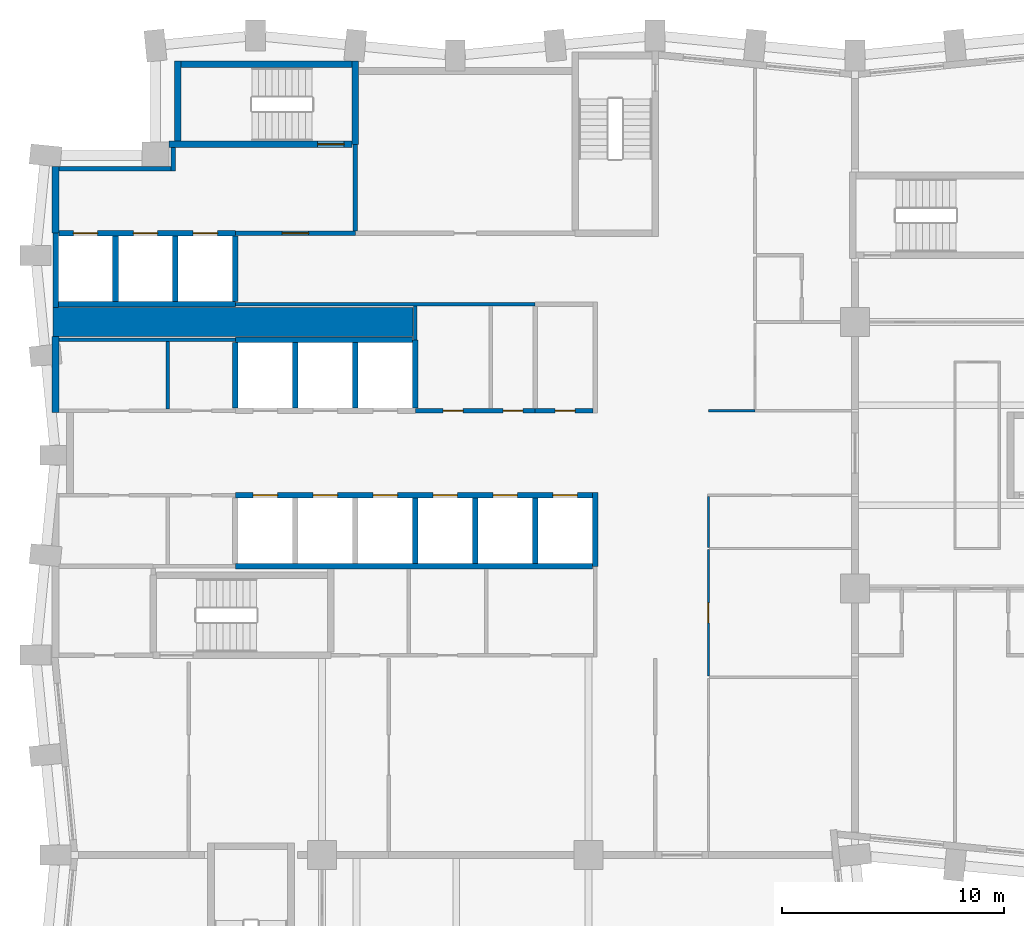
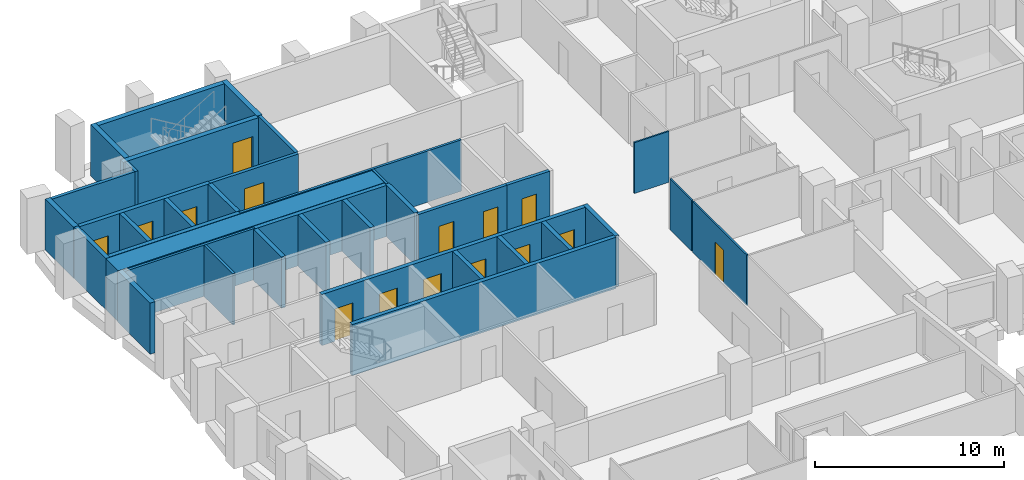
# One storey, part 6 of 12: 37 walls, 15 doors, 15 openings.
"""IFC4 building model written with IfcOpenShell, lengths in metres."""

from ifc_helpers import new_model, si_unit, direction, frame, frame_2d, origin, place, context, subcontext, project, spatial, rectangle, extrude, material, layer, layer_set, type_object, element, fill, save


model = new_model("IFC4")

# Units and contexts
model_context = context("Model", 3, precision=1e-05, world=origin(), true_north=direction((0.0, 1.0)))
body_context = subcontext(model_context, "Body", "Model", "MODEL_VIEW")
ifc_project = project(units=[si_unit("LENGTHUNIT", "METRE"), si_unit("AREAUNIT", "SQUARE_METRE"), si_unit("VOLUMEUNIT", "CUBIC_METRE"), si_unit("PLANEANGLEUNIT", "RADIAN"), si_unit("MASSUNIT", "GRAM", prefix="KILO")], contexts=[model_context])

# Site, building, storey
site_placement = place(None, origin())
site = spatial("IfcSite", under=ifc_project, at=site_placement, CompositionType="ELEMENT")
building_placement = place(site_placement, origin())
building = spatial("IfcBuilding", under=site, at=building_placement, Name="Brondeck Convention Tower", CompositionType="ELEMENT")
storey_placement = place(building_placement, frame((0.0, 0.0, 80.699951171875)))
storey = spatial("IfcBuildingStorey", under=building, at=storey_placement, Name="L18", CompositionType="ELEMENT", Elevation=80.699951171875)

# Walls
ifc_material_1 = material(Name="Concrete C80/95", Category="concrete")
ifc_layer_1 = layer(ifc_material_1, 0.300048828125)
ifc_layer_set_1 = layer_set([ifc_layer_1], Name="Core outer wall 300 Concrete C80/95")
wall_type_1 = type_object("IfcWallType", Name="Core outer wall 300 Concrete C80/95", PredefinedType="SHEAR", material=ifc_layer_set_1)
wall_1_placement = place(storey_placement, frame((0.0, 46.925048828125, 0.0), z_axis=(0.0, 0.0, 1.0), x_axis=(0.0, 1.0, 0.0)))
element("IfcWall", 1, at=wall_1_placement, inside=storey, type_object=wall_type_1, Name="L18 core wall", PredefinedType="SHEAR", context=body_context, shape_type="SweptSolid", body=[
    extrude(rectangle(XDim=3.425048828125, YDim=0.300048828125, at=frame_2d((1.71240234375, 0.0))), origin(), (0.0, 0.0, 1.0), 3.300048828125),
])
wall_2_placement = place(storey_placement, frame((0.0, 55.0, 0.0), z_axis=(0.0, 0.0, 1.0), x_axis=(0.0, 1.0, 0.0)))
element("IfcWall", 2, at=wall_2_placement, inside=storey, type_object=wall_type_1, Name="L18 core wall", PredefinedType="SHEAR", context=body_context, shape_type="SweptSolid", body=[
    extrude(rectangle(XDim=3.0, YDim=0.300048828125, at=frame_2d((1.5, 0.0))), origin(), (0.0, 0.0, 1.0), 3.300048828125),
])
ifc_material_2 = material(Name="Fire-rated gypsum board partition")
ifc_layer_2 = layer(ifc_material_2, 0.14990234375)
ifc_layer_set_2 = layer_set([ifc_layer_2], Name="Core partition 150 EI 60")
wall_type_2 = type_object("IfcWallType", Name="Core partition 150 EI 60", PredefinedType="PARTITIONING", material=ifc_layer_set_2)
wall_3_placement = place(storey_placement, frame((0.14990234375, 50.199951171875, 0.0), z_axis=(0.0, 0.0, 1.0), x_axis=(1.0, 0.0, 0.0)))
element("IfcWall", 3, at=wall_3_placement, inside=storey, type_object=wall_type_2, Name="L18 core wall", PredefinedType="PARTITIONING", context=body_context, shape_type="SweptSolid", body=[
    extrude(rectangle(XDim=7.9501953125, YDim=0.14990234375, at=frame_2d((3.97509765625, 0.0))), origin(), (0.0, 0.0, 1.0), 3.300048828125),
])
wall_4_placement = place(storey_placement, frame((8.10009765625, 51.800048828125, 0.0), z_axis=(0.0, 0.0, 1.0), x_axis=(1.0, 0.0, 0.0)))
element("IfcWall", 4, at=wall_4_placement, inside=storey, type_object=wall_type_2, Name="L18 core wall", PredefinedType="PARTITIONING", context=body_context, shape_type="SweptSolid", body=[
    extrude(rectangle(XDim=13.5, YDim=0.14990234375, at=frame_2d((6.75, 0.0))), origin(), (0.0, 0.0, 1.0), 3.300048828125),
])
wall_5_placement = place(storey_placement, frame((5.050048828125, 47.074951171875, 0.0), z_axis=(0.0, 0.0, 1.0), x_axis=(0.0, 1.0, 0.0)))
element("IfcWall", 5, at=wall_5_placement, inside=storey, type_object=wall_type_2, Name="L18 core wall", PredefinedType="PARTITIONING", context=body_context, shape_type="SweptSolid", body=[
    extrude(rectangle(XDim=3.050048828125, YDim=0.14990234375, at=frame_2d((1.52490234375, 0.0))), origin(), (0.0, 0.0, 1.0), 3.300048828125),
])
wall_6_placement = place(storey_placement, frame((16.199951171875, 50.199951171875, 0.0), z_axis=(0.0, 0.0, 1.0), x_axis=(0.0, 1.0, 0.0)))
element("IfcWall", 6, at=wall_6_placement, inside=storey, type_object=wall_type_2, Name="L18 core wall", PredefinedType="PARTITIONING", context=body_context, shape_type="SweptSolid", body=[
    extrude(rectangle(XDim=1.525146484375, YDim=0.14990234375, at=frame_2d((0.7626953125, 0.0))), origin(), (0.0, 0.0, 1.0), 3.300048828125),
])
ifc_layer_3 = layer(ifc_material_1, 1.300048828125)
ifc_layer_set_3 = layer_set([ifc_layer_3], Name="Core shear wall 1300 Concrete C80/95")
wall_type_3 = type_object("IfcWallType", Name="Core shear wall 1300 Concrete C80/95", PredefinedType="SHEAR", material=ifc_layer_set_3)
wall_7_placement = place(storey_placement, frame((-0.125, 51.0, 0.0), z_axis=(0.0, 0.0, 1.0), x_axis=(1.0, 0.0, 0.0)))
element("IfcWall", 7, at=wall_7_placement, inside=storey, type_object=wall_type_3, Name="L18 core wall", PredefinedType="SHEAR", context=body_context, shape_type="SweptSolid", body=[
    extrude(rectangle(XDim=16.22509765625, YDim=1.300048828125, at=frame_2d((8.112548828125, 0.0))), origin(), (0.0, 0.0, 1.0), 3.300048828125),
])

# Wall, opening, door
ifc_layer_4 = layer(ifc_material_2, 0.199951171875)
ifc_layer_set_4 = layer_set([ifc_layer_4], Name="Firefighting lobby wall 200 EI 120")
wall_type_4 = type_object("IfcWallType", Name="Firefighting lobby wall 200 EI 120", PredefinedType="PARTITIONING", material=ifc_layer_set_4)
wall_8_placement = place(storey_placement, frame((8.10009765625, 55.0, 0.0), z_axis=(0.0, 0.0, 1.0), x_axis=(1.0, 0.0, 0.0)))
wall_8 = element("IfcWall", 8, at=wall_8_placement, inside=storey, type_object=wall_type_4, Name="L18 core wall", PredefinedType="PARTITIONING", context=body_context, shape_type="SweptSolid", body=[
    extrude(rectangle(XDim=5.39990234375, YDim=0.199951171875, at=frame_2d((2.699951171875, 0.0))), origin(), (0.0, 0.0, 1.0), 3.300048828125),
])
opening_1_placement = place(wall_8_placement, frame((2.10009765625, 0.0, 0.0)))
opening_1 = element("IfcOpeningElement", 9, at=opening_1_placement, cuts=wall_8, Name="Opening C12-01", PredefinedType="OPENING", context=body_context, shape_type="SweptSolid", body=[
    extrude(rectangle(XDim=1.199951171875, YDim=2.199951171875, at=frame_2d((0.60009765625, 1.10009765625))), frame((0.0, 0.10986328125, 0.0), z_axis=(0.0, -1.0, 0.0), x_axis=(1.0, 0.0, 0.0)), (0.0, 0.0, 1.0), 0.219970703125),
])
ifc_material_3 = material(Name="Steel fire door", Category="steel")
door_type_1 = type_object("IfcDoorType", Name="Firefighting lobby door 1200x2200 EI 120", OperationType="NOTDEFINED", PredefinedType="DOOR", material=ifc_material_3)
door_1_placement = place(opening_1_placement, origin())
door_1 = element("IfcDoor", 10, at=door_1_placement, inside=storey, type_object=door_type_1, Name="L18 Firefighting lobby door FFL-1", OperationType="SINGLE_SWING_RIGHT", OverallHeight=2.199951171875, OverallWidth=1.199951171875, PredefinedType="DOOR", context=body_context, shape_type="SweptSolid", body=[
    extrude(rectangle(XDim=1.199951171875, YDim=2.199951171875, at=frame_2d((0.60009765625, 1.10009765625))), frame((0.0, 0.02490234375, 0.0), z_axis=(0.0, -1.0, 0.0), x_axis=(1.0, 0.0, 0.0)), (0.0, 0.0, 1.0), 0.050048828125),
])
fill(opening_1, door_1)

# Walls
wall_9_placement = place(storey_placement, frame((0.14990234375, 57.89990234375, 0.0), z_axis=(0.0, 0.0, 1.0), x_axis=(1.0, 0.0, 0.0)))
element("IfcWall", 11, at=wall_9_placement, inside=storey, type_object=wall_type_4, Name="L18 core wall", PredefinedType="PARTITIONING", context=body_context, shape_type="SweptSolid", body=[
    extrude(rectangle(XDim=5.050048828125, YDim=0.199951171875, at=frame_2d((2.52490234375, 0.0))), origin(), (0.0, 0.0, 1.0), 3.300048828125),
])
wall_10_placement = place(storey_placement, frame((5.300048828125, 57.800048828125, 0.0), z_axis=(0.0, 0.0, 1.0), x_axis=(0.0, 1.0, 0.0)))
element("IfcWall", 12, at=wall_10_placement, inside=storey, type_object=wall_type_4, Name="L18 core wall", PredefinedType="PARTITIONING", context=body_context, shape_type="SweptSolid", body=[
    extrude(rectangle(XDim=1.050048828125, YDim=0.199951171875, at=frame_2d((0.52490234375, 0.0))), origin(), (0.0, 0.0, 1.0), 3.300048828125),
])
wall_11_placement = place(storey_placement, frame((13.5, 55.10009765625, 0.0), z_axis=(0.0, 0.0, 1.0), x_axis=(0.0, 1.0, 0.0)))
element("IfcWall", 13, at=wall_11_placement, inside=storey, type_object=wall_type_4, Name="L18 core wall", PredefinedType="PARTITIONING", context=body_context, shape_type="SweptSolid", body=[
    extrude(rectangle(XDim=3.89990234375, YDim=0.199951171875, at=frame_2d((1.949951171875, 0.0))), origin(), (0.0, 0.0, 1.0), 3.300048828125),
])

# Wall, openings, doors
ifc_layer_5 = layer(ifc_material_2, 0.199951171875)
ifc_layer_set_5 = layer_set([ifc_layer_5], Name="Lift lobby wall 200 EI 60")
wall_type_5 = type_object("IfcWallType", Name="Lift lobby wall 200 EI 60", PredefinedType="PARTITIONING", material=ifc_layer_set_5)
wall_12_placement = place(storey_placement, frame((16.199951171875, 47.0, 0.0), z_axis=(0.0, 0.0, 1.0), x_axis=(1.0, 0.0, 0.0)))
wall_12 = element("IfcWall", 14, at=wall_12_placement, inside=storey, type_object=wall_type_5, Name="L18 core wall", PredefinedType="PARTITIONING", context=body_context, shape_type="SweptSolid", body=[
    extrude(rectangle(XDim=5.400146484375, YDim=0.199951171875, at=frame_2d((2.7001953125, 0.0))), origin(), (0.0, 0.0, 1.0), 3.300048828125),
])
opening_2_placement = place(wall_12_placement, frame((1.25, 0.0, 0.0)))
opening_2 = element("IfcOpeningElement", 15, at=opening_2_placement, cuts=wall_12, Name="Opening C12-09", PredefinedType="OPENING", context=body_context, shape_type="SweptSolid", body=[
    extrude(rectangle(XDim=0.89990234375, YDim=2.10009765625, at=frame_2d((0.449951171875, 1.050048828125))), frame((0.0, 0.10986328125, 0.0), z_axis=(0.0, -1.0, 0.0), x_axis=(1.0, 0.0, 0.0)), (0.0, 0.0, 1.0), 0.219970703125),
])
opening_3_placement = place(wall_12_placement, frame((3.949951171875, 0.0, 0.0)))
opening_3 = element("IfcOpeningElement", 16, at=opening_3_placement, cuts=wall_12, Name="Opening C12-10", PredefinedType="OPENING", context=body_context, shape_type="SweptSolid", body=[
    extrude(rectangle(XDim=0.89990234375, YDim=2.10009765625, at=frame_2d((0.449951171875, 1.050048828125))), frame((0.0, 0.10986328125, 0.0), z_axis=(0.0, -1.0, 0.0), x_axis=(1.0, 0.0, 0.0)), (0.0, 0.0, 1.0), 0.219970703125),
])
door_type_2 = type_object("IfcDoorType", Name="Room door 900x2100 EI 60", OperationType="NOTDEFINED", PredefinedType="DOOR", material=ifc_material_3)
door_2_placement = place(opening_2_placement, origin())
door_2 = element("IfcDoor", 17, at=door_2_placement, inside=storey, type_object=door_type_2, Name="L18 Room door FZ-N-16.2-1", OperationType="SINGLE_SWING_LEFT", OverallHeight=2.10009765625, OverallWidth=0.89990234375, PredefinedType="DOOR", context=body_context, shape_type="SweptSolid", body=[
    extrude(rectangle(XDim=0.89990234375, YDim=2.10009765625, at=frame_2d((0.449951171875, 1.050048828125))), frame((0.0, 0.02490234375, 0.0), z_axis=(0.0, -1.0, 0.0), x_axis=(1.0, 0.0, 0.0)), (0.0, 0.0, 1.0), 0.050048828125),
])
fill(opening_2, door_2)
door_3_placement = place(opening_3_placement, origin())
door_3 = element("IfcDoor", 18, at=door_3_placement, inside=storey, type_object=door_type_2, Name="L18 Room door FZ-N-16.2-2", OperationType="SINGLE_SWING_RIGHT", OverallHeight=2.10009765625, OverallWidth=0.89990234375, PredefinedType="DOOR", context=body_context, shape_type="SweptSolid", body=[
    extrude(rectangle(XDim=0.89990234375, YDim=2.10009765625, at=frame_2d((0.449951171875, 1.050048828125))), frame((0.0, 0.02490234375, 0.0), z_axis=(0.0, -1.0, 0.0), x_axis=(1.0, 0.0, 0.0)), (0.0, 0.0, 1.0), 0.050048828125),
])
fill(opening_3, door_3)

# Wall
ifc_layer_6 = layer(ifc_material_1, 0.25)
ifc_layer_set_6 = layer_set([ifc_layer_6], Name="Lift shaft wall 250 Concrete C80/95")
wall_type_6 = type_object("IfcWallType", Name="Lift shaft wall 250 Concrete C80/95", PredefinedType="SHEAR", material=ifc_layer_set_6)
wall_13_placement = place(storey_placement, frame((8.10009765625, 40.0, 0.0), z_axis=(0.0, 0.0, 1.0), x_axis=(1.0, 0.0, 0.0)))
element("IfcWall", 19, at=wall_13_placement, inside=storey, type_object=wall_type_6, Name="L18 core wall", PredefinedType="SHEAR", context=body_context, shape_type="SweptSolid", body=[
    extrude(rectangle(XDim=16.074951171875, YDim=0.25, at=frame_2d((8.03759765625, 0.0))), origin(), (0.0, 0.0, 1.0), 3.300048828125),
])

# Wall, openings, doors
wall_14_placement = place(storey_placement, frame((8.10009765625, 43.199951171875, 0.0), z_axis=(0.0, 0.0, 1.0), x_axis=(1.0, 0.0, 0.0)))
wall_14 = element("IfcWall", 20, at=wall_14_placement, inside=storey, type_object=wall_type_6, Name="L18 core wall", PredefinedType="SHEAR", context=body_context, shape_type="SweptSolid", body=[
    extrude(rectangle(XDim=16.074951171875, YDim=0.25, at=frame_2d((8.03759765625, 0.0))), origin(), (0.0, 0.0, 1.0), 3.300048828125),
])
opening_4_placement = place(wall_14_placement, frame((14.300048828125, 0.0, 0.0)))
opening_4 = element("IfcOpeningElement", 21, at=opening_4_placement, cuts=wall_14, Name="Opening C12-24", PredefinedType="OPENING", context=body_context, shape_type="SweptSolid", body=[
    extrude(rectangle(XDim=1.10009765625, YDim=2.10009765625, at=frame_2d((0.550048828125, 1.050048828125))), frame((0.0, 0.135009765625, 0.0), z_axis=(0.0, -1.0, 0.0), x_axis=(1.0, 0.0, 0.0)), (0.0, 0.0, 1.0), 0.27001953125),
])
opening_5_placement = place(wall_14_placement, frame((0.800048828125, 0.0, 0.0)))
opening_5 = element("IfcOpeningElement", 22, at=opening_5_placement, cuts=wall_14, Name="Opening C12-25", PredefinedType="OPENING", context=body_context, shape_type="SweptSolid", body=[
    extrude(rectangle(XDim=1.10009765625, YDim=2.10009765625, at=frame_2d((0.550048828125, 1.050048828125))), frame((0.0, 0.135009765625, 0.0), z_axis=(0.0, -1.0, 0.0), x_axis=(1.0, 0.0, 0.0)), (0.0, 0.0, 1.0), 0.27001953125),
])
opening_6_placement = place(wall_14_placement, frame((3.5, 0.0, 0.0)))
opening_6 = element("IfcOpeningElement", 23, at=opening_6_placement, cuts=wall_14, Name="Opening C12-26", PredefinedType="OPENING", context=body_context, shape_type="SweptSolid", body=[
    extrude(rectangle(XDim=1.10009765625, YDim=2.10009765625, at=frame_2d((0.550048828125, 1.050048828125))), frame((0.0, 0.135009765625, 0.0), z_axis=(0.0, -1.0, 0.0), x_axis=(1.0, 0.0, 0.0)), (0.0, 0.0, 1.0), 0.27001953125),
])
opening_7_placement = place(wall_14_placement, frame((6.199951171875, 0.0, 0.0)))
opening_7 = element("IfcOpeningElement", 24, at=opening_7_placement, cuts=wall_14, Name="Opening C12-27", PredefinedType="OPENING", context=body_context, shape_type="SweptSolid", body=[
    extrude(rectangle(XDim=1.10009765625, YDim=2.10009765625, at=frame_2d((0.550048828125, 1.050048828125))), frame((0.0, 0.135009765625, 0.0), z_axis=(0.0, -1.0, 0.0), x_axis=(1.0, 0.0, 0.0)), (0.0, 0.0, 1.0), 0.27001953125),
])
opening_8_placement = place(wall_14_placement, frame((8.89990234375, 0.0, 0.0)))
opening_8 = element("IfcOpeningElement", 25, at=opening_8_placement, cuts=wall_14, Name="Opening C12-31", PredefinedType="OPENING", context=body_context, shape_type="SweptSolid", body=[
    extrude(rectangle(XDim=1.10009765625, YDim=2.10009765625, at=frame_2d((0.550048828125, 1.050048828125))), frame((0.0, 0.135009765625, 0.0), z_axis=(0.0, -1.0, 0.0), x_axis=(1.0, 0.0, 0.0)), (0.0, 0.0, 1.0), 0.27001953125),
])
opening_9_placement = place(wall_14_placement, frame((11.60009765625, 0.0, 0.0)))
opening_9 = element("IfcOpeningElement", 26, at=opening_9_placement, cuts=wall_14, Name="Opening C12-32", PredefinedType="OPENING", context=body_context, shape_type="SweptSolid", body=[
    extrude(rectangle(XDim=1.10009765625, YDim=2.10009765625, at=frame_2d((0.550048828125, 1.050048828125))), frame((0.0, 0.135009765625, 0.0), z_axis=(0.0, -1.0, 0.0), x_axis=(1.0, 0.0, 0.0)), (0.0, 0.0, 1.0), 0.27001953125),
])
ifc_material_4 = material(Name="Stainless steel lift door", Category="steel")
door_type_3 = type_object("IfcDoorType", Name="Lift landing door 1100x2100 EI 180", OperationType="DOUBLE_DOOR_SLIDING", PredefinedType="DOOR", material=ifc_material_4)
door_4_placement = place(opening_4_placement, origin())
door_4 = element("IfcDoor", 27, at=door_4_placement, inside=storey, type_object=door_type_3, Name="L18 Lift landing door HS1", OperationType="DOUBLE_DOOR_SLIDING", OverallHeight=2.10009765625, OverallWidth=1.10009765625, PredefinedType="DOOR", context=body_context, shape_type="SweptSolid", body=[
    extrude(rectangle(XDim=1.10009765625, YDim=2.10009765625, at=frame_2d((0.550048828125, 1.050048828125))), frame((0.0, 0.02490234375, 0.0), z_axis=(0.0, -1.0, 0.0), x_axis=(1.0, 0.0, 0.0)), (0.0, 0.0, 1.0), 0.050048828125),
])
fill(opening_4, door_4)
door_5_placement = place(opening_5_placement, origin())
door_5 = element("IfcDoor", 28, at=door_5_placement, inside=storey, type_object=door_type_3, Name="L18 Lift landing door LR1", OperationType="DOUBLE_DOOR_SLIDING", OverallHeight=2.10009765625, OverallWidth=1.10009765625, PredefinedType="DOOR", context=body_context, shape_type="SweptSolid", body=[
    extrude(rectangle(XDim=1.10009765625, YDim=2.10009765625, at=frame_2d((0.550048828125, 1.050048828125))), frame((0.0, 0.02490234375, 0.0), z_axis=(0.0, -1.0, 0.0), x_axis=(1.0, 0.0, 0.0)), (0.0, 0.0, 1.0), 0.050048828125),
])
fill(opening_5, door_5)
door_6_placement = place(opening_6_placement, origin())
door_6 = element("IfcDoor", 29, at=door_6_placement, inside=storey, type_object=door_type_3, Name="L18 Lift landing door LR2", OperationType="DOUBLE_DOOR_SLIDING", OverallHeight=2.10009765625, OverallWidth=1.10009765625, PredefinedType="DOOR", context=body_context, shape_type="SweptSolid", body=[
    extrude(rectangle(XDim=1.10009765625, YDim=2.10009765625, at=frame_2d((0.550048828125, 1.050048828125))), frame((0.0, 0.02490234375, 0.0), z_axis=(0.0, -1.0, 0.0), x_axis=(1.0, 0.0, 0.0)), (0.0, 0.0, 1.0), 0.050048828125),
])
fill(opening_6, door_6)
door_7_placement = place(opening_7_placement, origin())
door_7 = element("IfcDoor", 30, at=door_7_placement, inside=storey, type_object=door_type_3, Name="L18 Lift landing door LR3", OperationType="DOUBLE_DOOR_SLIDING", OverallHeight=2.10009765625, OverallWidth=1.10009765625, PredefinedType="DOOR", context=body_context, shape_type="SweptSolid", body=[
    extrude(rectangle(XDim=1.10009765625, YDim=2.10009765625, at=frame_2d((0.550048828125, 1.050048828125))), frame((0.0, 0.02490234375, 0.0), z_axis=(0.0, -1.0, 0.0), x_axis=(1.0, 0.0, 0.0)), (0.0, 0.0, 1.0), 0.050048828125),
])
fill(opening_7, door_7)
door_8_placement = place(opening_8_placement, origin())
door_8 = element("IfcDoor", 31, at=door_8_placement, inside=storey, type_object=door_type_3, Name="L18 Lift landing door SH1", OperationType="DOUBLE_DOOR_SLIDING", OverallHeight=2.10009765625, OverallWidth=1.10009765625, PredefinedType="DOOR", context=body_context, shape_type="SweptSolid", body=[
    extrude(rectangle(XDim=1.10009765625, YDim=2.10009765625, at=frame_2d((0.550048828125, 1.050048828125))), frame((0.0, 0.02490234375, 0.0), z_axis=(0.0, -1.0, 0.0), x_axis=(1.0, 0.0, 0.0)), (0.0, 0.0, 1.0), 0.050048828125),
])
fill(opening_8, door_8)
door_9_placement = place(opening_9_placement, origin())
door_9 = element("IfcDoor", 32, at=door_9_placement, inside=storey, type_object=door_type_3, Name="L18 Lift landing door SH2", OperationType="DOUBLE_DOOR_SLIDING", OverallHeight=2.10009765625, OverallWidth=1.10009765625, PredefinedType="DOOR", context=body_context, shape_type="SweptSolid", body=[
    extrude(rectangle(XDim=1.10009765625, YDim=2.10009765625, at=frame_2d((0.550048828125, 1.050048828125))), frame((0.0, 0.02490234375, 0.0), z_axis=(0.0, -1.0, 0.0), x_axis=(1.0, 0.0, 0.0)), (0.0, 0.0, 1.0), 0.050048828125),
])
fill(opening_9, door_9)

# Walls
wall_15_placement = place(storey_placement, frame((8.10009765625, 50.199951171875, 0.0), z_axis=(0.0, 0.0, 1.0), x_axis=(1.0, 0.0, 0.0)))
element("IfcWall", 33, at=wall_15_placement, inside=storey, type_object=wall_type_6, Name="L18 core wall", PredefinedType="SHEAR", context=body_context, shape_type="SweptSolid", body=[
    extrude(rectangle(XDim=7.974853515625, YDim=0.25, at=frame_2d((3.9873046875, 0.0))), origin(), (0.0, 0.0, 1.0), 3.300048828125),
])
wall_16_placement = place(storey_placement, frame((0.125, 51.800048828125, 0.0), z_axis=(0.0, 0.0, 1.0), x_axis=(1.0, 0.0, 0.0)))
element("IfcWall", 34, at=wall_16_placement, inside=storey, type_object=wall_type_6, Name="L18 core wall", PredefinedType="SHEAR", context=body_context, shape_type="SweptSolid", body=[
    extrude(rectangle(XDim=7.97509765625, YDim=0.25, at=frame_2d((3.987548828125, 0.0))), origin(), (0.0, 0.0, 1.0), 3.300048828125),
])

# Wall, openings, doors
wall_17_placement = place(storey_placement, frame((0.14990234375, 55.0, 0.0), z_axis=(0.0, 0.0, 1.0), x_axis=(1.0, 0.0, 0.0)))
wall_17 = element("IfcWall", 35, at=wall_17_placement, inside=storey, type_object=wall_type_6, Name="L18 core wall", PredefinedType="SHEAR", context=body_context, shape_type="SweptSolid", body=[
    extrude(rectangle(XDim=7.9501953125, YDim=0.25, at=frame_2d((3.97509765625, 0.0))), origin(), (0.0, 0.0, 1.0), 3.300048828125),
])
opening_10_placement = place(wall_17_placement, frame((0.64990234375, 0.0, 0.0)))
opening_10 = element("IfcOpeningElement", 36, at=opening_10_placement, cuts=wall_17, Name="Opening C12-21", PredefinedType="OPENING", context=body_context, shape_type="SweptSolid", body=[
    extrude(rectangle(XDim=1.10009765625, YDim=2.10009765625, at=frame_2d((0.550048828125, 1.050048828125))), frame((0.0, 0.135009765625, 0.0), z_axis=(0.0, -1.0, 0.0), x_axis=(1.0, 0.0, 0.0)), (0.0, 0.0, 1.0), 0.27001953125),
])
opening_11_placement = place(wall_17_placement, frame((3.35009765625, 0.0, 0.0)))
opening_11 = element("IfcOpeningElement", 37, at=opening_11_placement, cuts=wall_17, Name="Opening C12-22", PredefinedType="OPENING", context=body_context, shape_type="SweptSolid", body=[
    extrude(rectangle(XDim=1.10009765625, YDim=2.10009765625, at=frame_2d((0.550048828125, 1.050048828125))), frame((0.0, 0.135009765625, 0.0), z_axis=(0.0, -1.0, 0.0), x_axis=(1.0, 0.0, 0.0)), (0.0, 0.0, 1.0), 0.27001953125),
])
opening_12_placement = place(wall_17_placement, frame((6.050048828125, 0.0, 0.0)))
opening_12 = element("IfcOpeningElement", 38, at=opening_12_placement, cuts=wall_17, Name="Opening C12-23", PredefinedType="OPENING", context=body_context, shape_type="SweptSolid", body=[
    extrude(rectangle(XDim=1.10009765625, YDim=2.10009765625, at=frame_2d((0.550048828125, 1.050048828125))), frame((0.0, 0.135009765625, 0.0), z_axis=(0.0, -1.0, 0.0), x_axis=(1.0, 0.0, 0.0)), (0.0, 0.0, 1.0), 0.27001953125),
])
door_10_placement = place(opening_10_placement, origin())
door_10 = element("IfcDoor", 39, at=door_10_placement, inside=storey, type_object=door_type_3, Name="L18 Lift landing door FF1", OperationType="DOUBLE_DOOR_SLIDING", OverallHeight=2.10009765625, OverallWidth=1.10009765625, PredefinedType="DOOR", context=body_context, shape_type="SweptSolid", body=[
    extrude(rectangle(XDim=1.10009765625, YDim=2.10009765625, at=frame_2d((0.550048828125, 1.050048828125))), frame((0.0, 0.02490234375, 0.0), z_axis=(0.0, -1.0, 0.0), x_axis=(1.0, 0.0, 0.0)), (0.0, 0.0, 1.0), 0.050048828125),
])
fill(opening_10, door_10)
door_11_placement = place(opening_11_placement, origin())
door_11 = element("IfcDoor", 40, at=door_11_placement, inside=storey, type_object=door_type_3, Name="L18 Lift landing door FF2", OperationType="DOUBLE_DOOR_SLIDING", OverallHeight=2.10009765625, OverallWidth=1.10009765625, PredefinedType="DOOR", context=body_context, shape_type="SweptSolid", body=[
    extrude(rectangle(XDim=1.10009765625, YDim=2.10009765625, at=frame_2d((0.550048828125, 1.050048828125))), frame((0.0, 0.02490234375, 0.0), z_axis=(0.0, -1.0, 0.0), x_axis=(1.0, 0.0, 0.0)), (0.0, 0.0, 1.0), 0.050048828125),
])
fill(opening_11, door_11)
door_12_placement = place(opening_12_placement, origin())
door_12 = element("IfcDoor", 41, at=door_12_placement, inside=storey, type_object=door_type_3, Name="L18 Lift landing door FF3", OperationType="DOUBLE_DOOR_SLIDING", OverallHeight=2.10009765625, OverallWidth=1.10009765625, PredefinedType="DOOR", context=body_context, shape_type="SweptSolid", body=[
    extrude(rectangle(XDim=1.10009765625, YDim=2.10009765625, at=frame_2d((0.550048828125, 1.050048828125))), frame((0.0, 0.02490234375, 0.0), z_axis=(0.0, -1.0, 0.0), x_axis=(1.0, 0.0, 0.0)), (0.0, 0.0, 1.0), 0.050048828125),
])
fill(opening_12, door_12)

# Walls
wall_18_placement = place(storey_placement, frame((0.0, 51.64990234375, 0.0), z_axis=(0.0, 0.0, 1.0), x_axis=(0.0, 1.0, 0.0)))
element("IfcWall", 42, at=wall_18_placement, inside=storey, type_object=wall_type_6, Name="L18 core wall", PredefinedType="SHEAR", context=body_context, shape_type="SweptSolid", body=[
    extrude(rectangle(XDim=3.35009765625, YDim=0.25, at=frame_2d((1.675048828125, 0.0))), origin(), (0.0, 0.0, 1.0), 3.300048828125),
])
for number, where, z_axis, x_axis, name in (
    (43, (2.699951171875, 51.925048828125, 0.0), (0.0, 0.0, 1.0), (0.0, 1.0, 0.0), "L18 core wall"),
    (44, (5.39990234375, 51.925048828125, 0.0), (0.0, 0.0, 1.0), (0.0, 1.0, 0.0), "L18 core wall"),
    (45, (8.10009765625, 47.125, 0.0), (0.0, 0.0, 1.0), (0.0, 1.0, 0.0), "L18 core wall"),
    (46, (8.10009765625, 51.925048828125, 0.0), (0.0, 0.0, 1.0), (0.0, 1.0, 0.0), "L18 core wall"),
    (47, (10.800048828125, 47.125, 0.0), (0.0, 0.0, 1.0), (0.0, 1.0, 0.0), "L18 core wall"),
    (48, (13.5, 47.125, 0.0), (0.0, 0.0, 1.0), (0.0, 1.0, 0.0), "L18 core wall"),
    (49, (16.199951171875, 40.125, 0.0), (0.0, 0.0, 1.0), (0.0, 1.0, 0.0), "L18 core wall"),
):
    element("IfcWall", number, at=place(storey_placement, frame(where, z_axis=z_axis, x_axis=x_axis)), inside=storey, type_object=wall_type_6, Name=name, PredefinedType="SHEAR", context=body_context, shape_type="SweptSolid", body=[
        extrude(rectangle(XDim=2.949951171875, YDim=0.25, at=frame_2d((1.47509765625, 0.0))), origin(), (0.0, 0.0, 1.0), 3.300048828125),
    ])
wall_19_placement = place(storey_placement, frame((16.199951171875, 47.125, 0.0), z_axis=(0.0, 0.0, 1.0), x_axis=(0.0, 1.0, 0.0)))
element("IfcWall", 50, at=wall_19_placement, inside=storey, type_object=wall_type_6, Name="L18 core wall", PredefinedType="SHEAR", context=body_context, shape_type="SweptSolid", body=[
    extrude(rectangle(XDim=3.074951171875, YDim=0.25, at=frame_2d((1.53759765625, 0.0))), origin(), (0.0, 0.0, 1.0), 3.300048828125),
])
for number, where, z_axis, x_axis, name in (
    (51, (18.89990234375, 40.125, 0.0), (0.0, 0.0, 1.0), (0.0, 1.0, 0.0), "L18 core wall"),
    (52, (21.60009765625, 40.125, 0.0), (0.0, 0.0, 1.0), (0.0, 1.0, 0.0), "L18 core wall"),
):
    element("IfcWall", number, at=place(storey_placement, frame(where, z_axis=z_axis, x_axis=x_axis)), inside=storey, type_object=wall_type_6, Name=name, PredefinedType="SHEAR", context=body_context, shape_type="SweptSolid", body=[
        extrude(rectangle(XDim=2.949951171875, YDim=0.25, at=frame_2d((1.47509765625, 0.0))), origin(), (0.0, 0.0, 1.0), 3.300048828125),
    ])
wall_20_placement = place(storey_placement, frame((24.300048828125, 40.0, 0.0), z_axis=(0.0, 0.0, 1.0), x_axis=(0.0, 1.0, 0.0)))
element("IfcWall", 53, at=wall_20_placement, inside=storey, type_object=wall_type_6, Name="L18 core wall", PredefinedType="SHEAR", context=body_context, shape_type="SweptSolid", body=[
    extrude(rectangle(XDim=3.324951171875, YDim=0.25, at=frame_2d((1.66259765625, 0.0))), origin(), (0.0, 0.0, 1.0), 3.300048828125),
])

# Wall, opening, door
ifc_layer_7 = layer(ifc_material_2, 0.199951171875)
ifc_layer_set_7 = layer_set([ifc_layer_7], Name="Riser wall 200 EI 120")
wall_type_7 = type_object("IfcWallType", Name="Riser wall 200 EI 120", PredefinedType="PARTITIONING", material=ifc_layer_set_7)
wall_21_placement = place(storey_placement, frame((21.60009765625, 47.0, 0.0), z_axis=(0.0, 0.0, 1.0), x_axis=(1.0, 0.0, 0.0)))
wall_21 = element("IfcWall", 54, at=wall_21_placement, inside=storey, type_object=wall_type_7, Name="L18 core wall", PredefinedType="PARTITIONING", context=body_context, shape_type="SweptSolid", body=[
    extrude(rectangle(XDim=2.599853515625, YDim=0.199951171875, at=frame_2d((1.2998046875, 0.0))), origin(), (0.0, 0.0, 1.0), 3.300048828125),
])
opening_13_placement = place(wall_21_placement, frame((0.89990234375, 0.0, 0.0)))
opening_13 = element("IfcOpeningElement", 55, at=opening_13_placement, cuts=wall_21, Name="Opening C12-02", PredefinedType="OPENING", context=body_context, shape_type="SweptSolid", body=[
    extrude(rectangle(XDim=0.89990234375, YDim=2.10009765625, at=frame_2d((0.449951171875, 1.050048828125))), frame((0.0, 0.10986328125, 0.0), z_axis=(0.0, -1.0, 0.0), x_axis=(1.0, 0.0, 0.0)), (0.0, 0.0, 1.0), 0.219970703125),
])
door_type_4 = type_object("IfcDoorType", Name="Riser door 900x2100 EI 120", OperationType="NOTDEFINED", PredefinedType="DOOR", material=ifc_material_3)
door_13_placement = place(opening_13_placement, origin())
door_13 = element("IfcDoor", 56, at=door_13_placement, inside=storey, type_object=door_type_4, Name="L18 Riser door EN-1", OperationType="SINGLE_SWING_LEFT", OverallHeight=2.10009765625, OverallWidth=0.89990234375, PredefinedType="DOOR", context=body_context, shape_type="SweptSolid", body=[
    extrude(rectangle(XDim=0.89990234375, YDim=2.10009765625, at=frame_2d((0.449951171875, 1.050048828125))), frame((0.0, 0.02490234375, 0.0), z_axis=(0.0, -1.0, 0.0), x_axis=(1.0, 0.0, 0.0)), (0.0, 0.0, 1.0), 0.050048828125),
])
fill(opening_13, door_13)

ifc_material_5 = material(Name="Gypsum board partition on steel studs", Category="steel")
ifc_layer_8 = layer(ifc_material_5, 0.10009765625)
ifc_layer_set_8 = layer_set([ifc_layer_8], Name="Room partition 100")
wall_type_8 = type_object("IfcWallType", Name="Room partition 100", PredefinedType="PARTITIONING", material=ifc_layer_set_8)
wall_22_placement = place(storey_placement, frame((29.39990234375, 40.75, 0.0), z_axis=(0.0, 0.0, 1.0), x_axis=(0.0, -1.0, 0.0)))
wall_22 = element("IfcWall", 57, at=wall_22_placement, inside=storey, type_object=wall_type_8, Name="FLR-L18-W078", PredefinedType="PARTITIONING", context=body_context, shape_type="SweptSolid", body=[
    extrude(rectangle(XDim=5.699951171875, YDim=0.10009765625, at=frame_2d((2.85009765625, 0.0))), origin(), (0.0, 0.0, 1.0), 3.280029296875),
])
opening_14_placement = place(wall_22_placement, frame((2.39990234375, 0.0, 0.0)))
opening_14 = element("IfcOpeningElement", 58, at=opening_14_placement, cuts=wall_22, Name="Opening H5-037", PredefinedType="OPENING", context=body_context, shape_type="SweptSolid", body=[
    extrude(rectangle(XDim=0.89990234375, YDim=2.10009765625, at=frame_2d((0.449951171875, 1.050048828125))), frame((0.0, 0.06005859375, 0.0), z_axis=(0.0, -1.0, 0.0), x_axis=(1.0, 0.0, 0.0)), (0.0, 0.0, 1.0), 0.1201171875),
])
ifc_material_6 = material(Name="Solid timber door leaf", Category="wood")
door_type_5 = type_object("IfcDoorType", Name="Single door 900", OperationType="NOTDEFINED", PredefinedType="DOOR", material=ifc_material_6)
door_14_placement = place(opening_14_placement, origin())
door_14 = element("IfcDoor", 59, at=door_14_placement, inside=storey, type_object=door_type_5, Name="Door H5-037", OperationType="SINGLE_SWING_RIGHT", OverallHeight=2.10009765625, OverallWidth=0.89990234375, PredefinedType="DOOR", context=body_context, shape_type="SweptSolid", body=[
    extrude(rectangle(XDim=0.89990234375, YDim=2.10009765625, at=frame_2d((0.449951171875, 1.050048828125))), frame((0.0, 0.02490234375, 0.0), z_axis=(0.0, -1.0, 0.0), x_axis=(1.0, 0.0, 0.0)), (0.0, 0.0, 1.0), 0.050048828125),
])
fill(opening_14, door_14)

# Walls
wall_23_placement = place(storey_placement, frame((29.39990234375, 43.14990234375, 0.0), z_axis=(0.0, 0.0, 1.0), x_axis=(0.0, -1.0, 0.0)))
element("IfcWall", 60, at=wall_23_placement, inside=storey, type_object=wall_type_8, Name="FLR-L18-W086", PredefinedType="PARTITIONING", context=body_context, shape_type="SweptSolid", body=[
    extrude(rectangle(XDim=2.2998046875, YDim=0.10009765625, at=frame_2d((1.14990234375, 0.0))), origin(), (0.0, 0.0, 1.0), 3.280029296875),
])
wall_24_placement = place(storey_placement, frame((29.39990234375, 47.0, 0.0), z_axis=(0.0, 0.0, 1.0), x_axis=(1.0, 0.0, 0.0)))
element("IfcWall", 61, at=wall_24_placement, inside=storey, type_object=wall_type_8, Name="FLR-L18-W092", PredefinedType="PARTITIONING", context=body_context, shape_type="SweptSolid", body=[
    extrude(rectangle(XDim=2.10009765625, YDim=0.10009765625, at=frame_2d((1.050048828125, 0.0))), origin(), (0.0, 0.0, 1.0), 3.280029296875),
])

# Wall, opening, door
ifc_layer_9 = layer(ifc_material_1, 0.300048828125)
ifc_layer_set_9 = layer_set([ifc_layer_9], Name="Stair enclosure wall 300 Concrete C80/95")
wall_type_9 = type_object("IfcWallType", Name="Stair enclosure wall 300 Concrete C80/95", PredefinedType="SHEAR", material=ifc_layer_set_9)
wall_25_placement = place(storey_placement, frame((5.10009765625, 59.0, 0.0), z_axis=(0.0, 0.0, 1.0), x_axis=(1.0, 0.0, 0.0)))
wall_25 = element("IfcWall", 62, at=wall_25_placement, inside=storey, type_object=wall_type_9, Name="L18 core wall", PredefinedType="SHEAR", context=body_context, shape_type="SweptSolid", body=[
    extrude(rectangle(XDim=8.25, YDim=0.300048828125, at=frame_2d((4.125, 0.0))), origin(), (0.0, 0.0, 1.0), 3.300048828125),
])
opening_15_placement = place(wall_25_placement, frame((6.699951171875, 0.0, 0.0)))
opening_15 = element("IfcOpeningElement", 63, at=opening_15_placement, cuts=wall_25, Name="Opening C12-16", PredefinedType="OPENING", context=body_context, shape_type="SweptSolid", body=[
    extrude(rectangle(XDim=1.199951171875, YDim=2.199951171875, at=frame_2d((0.60009765625, 1.10009765625))), frame((0.0, 0.159912109375, 0.0), z_axis=(0.0, -1.0, 0.0), x_axis=(1.0, 0.0, 0.0)), (0.0, 0.0, 1.0), 0.320068359375),
])
door_type_6 = type_object("IfcDoorType", Name="Stair door 1200x2200 EI 120", OperationType="NOTDEFINED", PredefinedType="DOOR", material=ifc_material_3)
door_15_placement = place(opening_15_placement, origin())
door_15 = element("IfcDoor", 64, at=door_15_placement, inside=storey, type_object=door_type_6, Name="L18 Stair door ST-3", OperationType="SINGLE_SWING_RIGHT", OverallHeight=2.199951171875, OverallWidth=1.199951171875, PredefinedType="DOOR", context=body_context, shape_type="SweptSolid", body=[
    extrude(rectangle(XDim=1.199951171875, YDim=2.199951171875, at=frame_2d((0.60009765625, 1.10009765625))), frame((0.0, 0.02490234375, 0.0), z_axis=(0.0, -1.0, 0.0), x_axis=(1.0, 0.0, 0.0)), (0.0, 0.0, 1.0), 0.050048828125),
])
fill(opening_15, door_15)

# Walls
wall_26_placement = place(storey_placement, frame((5.64990234375, 62.60009765625, 0.0), z_axis=(0.0, 0.0, 1.0), x_axis=(1.0, 0.0, 0.0)))
element("IfcWall", 65, at=wall_26_placement, inside=storey, type_object=wall_type_9, Name="L18 core wall", PredefinedType="SHEAR", context=body_context, shape_type="SweptSolid", body=[
    extrude(rectangle(XDim=7.7001953125, YDim=0.300048828125, at=frame_2d((3.85009765625, 0.0))), origin(), (0.0, 0.0, 1.0), 3.300048828125),
])
wall_27_placement = place(storey_placement, frame((5.5, 59.14990234375, 0.0), z_axis=(0.0, 0.0, 1.0), x_axis=(0.0, 1.0, 0.0)))
element("IfcWall", 66, at=wall_27_placement, inside=storey, type_object=wall_type_9, Name="L18 core wall", PredefinedType="SHEAR", context=body_context, shape_type="SweptSolid", body=[
    extrude(rectangle(XDim=3.60009765625, YDim=0.300048828125, at=frame_2d((1.800048828125, 0.0))), origin(), (0.0, 0.0, 1.0), 3.300048828125),
])
wall_28_placement = place(storey_placement, frame((13.5, 59.0, 0.0), z_axis=(0.0, 0.0, 1.0), x_axis=(0.0, 1.0, 0.0)))
element("IfcWall", 67, at=wall_28_placement, inside=storey, type_object=wall_type_9, Name="L18 core wall", PredefinedType="SHEAR", context=body_context, shape_type="SweptSolid", body=[
    extrude(rectangle(XDim=3.75, YDim=0.300048828125, at=frame_2d((1.875, 0.0))), origin(), (0.0, 0.0, 1.0), 3.300048828125),
])

save(model, "model.ifc")
